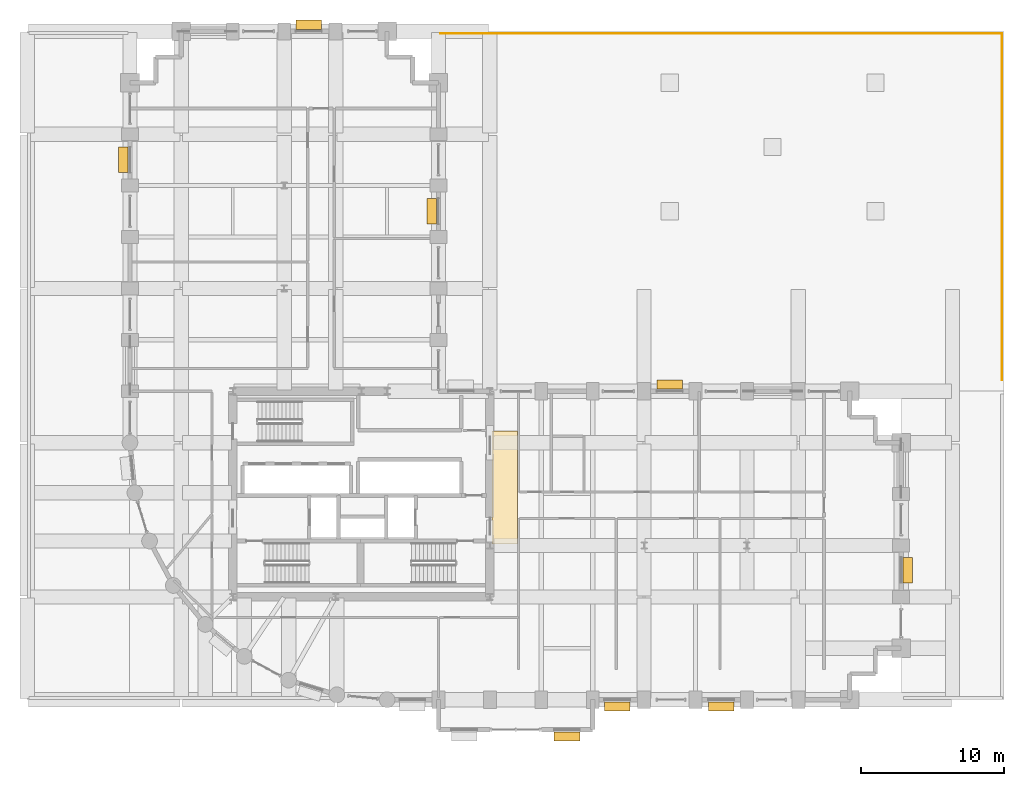
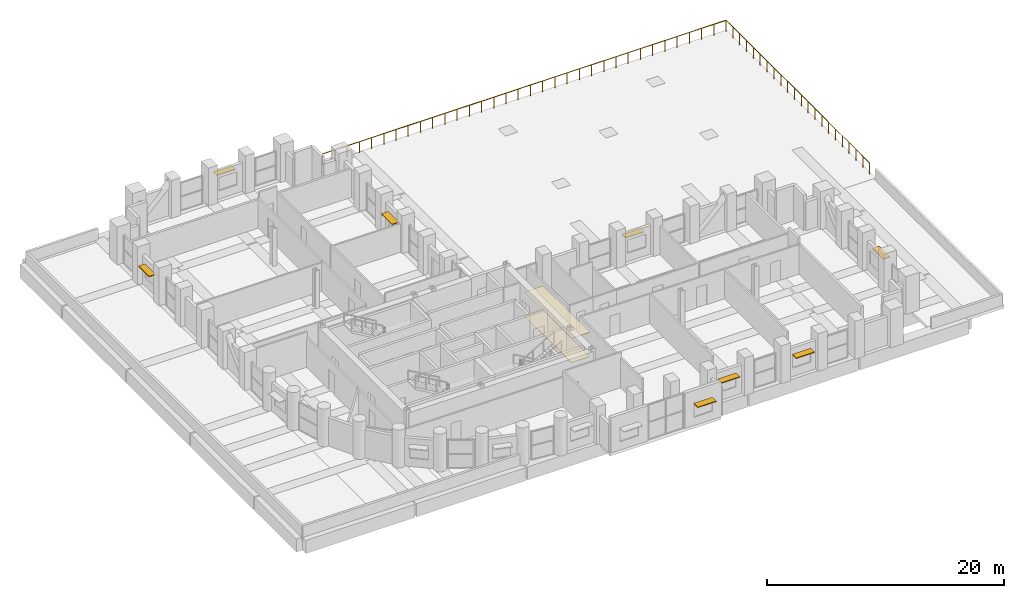
# One storey, part 39 of 39: 8 shading devices, 2 coverings, 2 railings.
"""IFC4 building model written with IfcOpenShell, lengths in metres."""

import ifcopenshell
import ifcopenshell.guid

model = None  # the IFC model being written
_history = None  # IfcOwnerHistory: only IFC2X3 demands one
_inside = {}  # id of a spatial element -> (the spatial element, [elements in it])
_under = {}  # id of a project, library or spatial element -> (it, [spatial elements below it])
_declared = {}  # id of a project -> (the project, [libraries it declares])
_typed = {}  # id of a type object -> (the type object, [elements of that type])
_made_of = {}  # id of a material, layer set ... -> (it, [elements and type objects made of it])


def new_model(schema):
    """Start an empty IFC model of exactly this schema.

    Asked for "IFC4X3", IfcOpenShell would pick the latest addendum, in which some entities
    have other attributes; the version numbers below select the first issue.
    IFC2X3 requires an IfcOwnerHistory on every rooted entity: one is made here for all.
    """
    global model, _history
    if schema == "IFC4X3":
        model = ifcopenshell.file(schema_version=(4, 3, 0, 0))
    else:
        model = ifcopenshell.file(schema=schema)
    _inside.clear()
    _under.clear()
    _declared.clear()
    _typed.clear()
    _made_of.clear()
    _history = None
    if model.schema == "IFC2X3":
        org = make("IfcOrganization", Name="unknown")
        user = make(
            "IfcPersonAndOrganization",
            ThePerson=make("IfcPerson", FamilyName="unknown"),
            TheOrganization=org,
        )
        app = make(
            "IfcApplication",
            ApplicationDeveloper=org,
            Version="unknown",
            ApplicationFullName="unknown",
            ApplicationIdentifier="unknown",
        )
        _history = make(
            "IfcOwnerHistory",
            OwningUser=user,
            OwningApplication=app,
            ChangeAction="ADDED",
            CreationDate=0,
        )
    return model


def make(cls, **values):
    """One entity of the class cls with the attributes given. An attribute that is None is left unset."""
    return model.create_entity(
        cls, **{name: value for name, value in values.items() if value is not None}
    )


def rooted(cls, **values):
    """An entity with a GlobalId (a new one), such as an element, a storey or a relation."""
    return make(cls, GlobalId=ifcopenshell.guid.new(), OwnerHistory=_history, **values)


def si_unit(unit_type, name, prefix=None):
    """IfcSIUnit, for example si_unit("LENGTHUNIT", "METRE", prefix="MILLI")."""
    return make("IfcSIUnit", UnitType=unit_type, Prefix=prefix, Name=name)


def assignment(units):
    """IfcUnitAssignment: the units of a project."""
    return None if units is None else make("IfcUnitAssignment", Units=units)


def point(xyz):
    """IfcCartesianPoint."""
    return None if xyz is None else make("IfcCartesianPoint", Coordinates=xyz)


def direction(xyz):
    """IfcDirection."""
    return None if xyz is None else make("IfcDirection", DirectionRatios=xyz)


def frame(location, z_axis=None, x_axis=None):
    """IfcAxis2Placement3D, a coordinate frame: its origin and axes. An axis left out is left unset."""
    return make(
        "IfcAxis2Placement3D",
        Location=point(location),
        Axis=direction(z_axis),
        RefDirection=direction(x_axis),
    )


def frame_2d(location, x_axis=None):
    """IfcAxis2Placement2D, a coordinate frame in the plane: its origin and x axis."""
    return make(
        "IfcAxis2Placement2D", Location=point(location), RefDirection=direction(x_axis)
    )


def origin():
    """The frame at (0, 0, 0) with its axes left unset."""
    return frame((0.0, 0.0, 0.0))


def origin_2d():
    """The frame at (0, 0) in the plane with its x axis left unset."""
    return frame_2d((0.0, 0.0))


def place(relative_to, where):
    """IfcLocalPlacement: puts the frame where relative to a parent placement (None: the world)."""
    return make(
        "IfcLocalPlacement", PlacementRelTo=relative_to, RelativePlacement=where
    )


def context(
    kind, dimensions, precision=None, world=None, true_north=None, identifier=None
):
    """IfcGeometricRepresentationContext, for example the 3D "Model" context."""
    return make(
        "IfcGeometricRepresentationContext",
        ContextIdentifier=identifier,
        ContextType=kind,
        CoordinateSpaceDimension=dimensions,
        Precision=precision,
        WorldCoordinateSystem=world,
        TrueNorth=true_north,
    )


def subcontext(parent, identifier, kind, view, scale=None):
    """IfcGeometricRepresentationSubContext, for example "Body" below "Model"."""
    return make(
        "IfcGeometricRepresentationSubContext",
        ContextIdentifier=identifier,
        ContextType=kind,
        ParentContext=parent,
        TargetScale=scale,
        TargetView=view,
    )


def project(units=None, contexts=None):
    """IfcProject with its units and contexts."""
    return rooted(
        "IfcProject",
        Name="project",
        RepresentationContexts=contexts,
        UnitsInContext=assignment(units),
    )


def spatial(cls, under=None, at=None, **own):
    """A site, building, storey or space (cls), placed at a placement, below another one or the project."""
    s = rooted(cls, ObjectPlacement=at, **own)
    if under is not None:
        _under.setdefault(under.id(), (under, []))[1].append(s)
    return s


def polyline(points):
    """IfcPolyline through the points."""
    return make("IfcPolyline", Points=[point(p) for p in points])


def profile(cls, at=None, kind="AREA", **sizes):
    """A parametric profile (cls). Its sizes go by their IFC names, for example OverallWidth=200.0."""
    return make(cls, ProfileType=kind, Position=at, **sizes)


def rectangle(**sizes):
    """IfcRectangleProfileDef."""
    return profile("IfcRectangleProfileDef", **sizes)


def circle(**sizes):
    """IfcCircleProfileDef."""
    return profile("IfcCircleProfileDef", **sizes)


def outline(outer, holes=None, kind="AREA"):
    """IfcArbitraryClosedProfileDef: a profile drawn as a closed curve; with holes, ...WithVoids."""
    if holes is None:
        return make("IfcArbitraryClosedProfileDef", ProfileType=kind, OuterCurve=outer)
    return make(
        "IfcArbitraryProfileDefWithVoids",
        ProfileType=kind,
        OuterCurve=outer,
        InnerCurves=holes,
    )


def extrude(swept, where, along, depth):
    """IfcExtrudedAreaSolid: the profile swept, set in the frame where, extruded along a direction by depth."""
    return make(
        "IfcExtrudedAreaSolid",
        SweptArea=swept,
        Position=where,
        ExtrudedDirection=direction(along),
        Depth=depth,
    )


def shape(context_of_items, identifier, shape_type, items):
    """IfcShapeRepresentation: the items that make up one representation, for example the "Body"."""
    return make(
        "IfcShapeRepresentation",
        ContextOfItems=context_of_items,
        RepresentationIdentifier=identifier,
        RepresentationType=shape_type,
        Items=items,
    )


def material(Name=None, Category=None):
    """IfcMaterial."""
    return make("IfcMaterial", Name=Name, Category=Category)


def layer(
    of_material, thickness, ventilated=None, Name=None, Category=None, Priority=None
):
    """IfcMaterialLayer: one layer of a wall or slab, of a material (None: an air gap)."""
    return make(
        "IfcMaterialLayer",
        Material=of_material,
        LayerThickness=thickness,
        IsVentilated=ventilated,
        Name=Name,
        Category=Category,
        Priority=Priority,
    )


def layer_set(layers, Name=None):
    """IfcMaterialLayerSet."""
    return make("IfcMaterialLayerSet", MaterialLayers=layers, LayerSetName=Name)


def made_of(thing, what):
    """Note that an element or type object is made of a material, layer set ...; save() writes the relation."""
    if what is not None:
        _made_of.setdefault(what.id(), (what, []))[1].append(thing)
    return thing


def type_object(cls, material=None, **own):
    """A type object (cls), such as IfcWallType, which elements share."""
    return made_of(rooted(cls, **own), material)


def element(
    cls,
    number,
    at=None,
    inside=None,
    cuts=None,
    type_object=None,
    material=None,
    context=None,
    identifier="Body",
    shape_type=None,
    held_by="IfcProductDefinitionShape",
    body=None,
    shapes=None,
    **own,
):
    """One element of the class cls, such as IfcWall. Its Tag is "e" and its number.

    at: its placement. inside: the storey or other place that contains it. cuts: it is an
    opening in that element (IfcRelVoidsElement). A single representation is given by context,
    identifier, shape_type and body (its items); several are given by shapes. held_by: the class
    of the entity that holds the representations. save() writes the other relations.
    """
    e = rooted(cls, Tag="e%d" % number, ObjectPlacement=at, **own)
    if body is not None:
        shapes = [shape(context, identifier, shape_type, body)]
    if shapes is not None:
        e.Representation = make(held_by, Representations=shapes)
    if inside is not None:
        _inside.setdefault(inside.id(), (inside, []))[1].append(e)
    if cuts is not None:
        rooted(
            "IfcRelVoidsElement", RelatingBuildingElement=cuts, RelatedOpeningElement=e
        )
    if type_object is not None:
        _typed.setdefault(type_object.id(), (type_object, []))[1].append(e)
    return made_of(e, material)


def aggregate(whole, parts):
    """IfcRelAggregates: a whole, such as a stair, and the parts it consists of."""
    return rooted("IfcRelAggregates", RelatingObject=whole, RelatedObjects=parts)


def save(model, path):
    """Write the relations noted so far, then the file.

    IfcRelAggregates (storeys below a building ...), IfcRelContainedInSpatialStructure (elements
    in a storey), IfcRelDefinesByType, IfcRelAssociatesMaterial and IfcRelDeclares: one each for
    every whole, place, type object, material and project.
    """
    for whole, parts in _under.values():
        aggregate(whole, parts)
    for where, things in _inside.values():
        rooted(
            "IfcRelContainedInSpatialStructure",
            RelatedElements=things,
            RelatingStructure=where,
        )
    for kind, things in _typed.values():
        rooted("IfcRelDefinesByType", RelatedObjects=things, RelatingType=kind)
    for what, things in _made_of.values():
        rooted("IfcRelAssociatesMaterial", RelatedObjects=things, RelatingMaterial=what)
    for by, libraries in _declared.values():
        rooted("IfcRelDeclares", RelatingContext=by, RelatedDefinitions=libraries)
    model.write(path)


model = new_model("IFC4")

# Units and contexts
model_context = context("Model", 3, precision=1e-05, world=origin(), true_north=direction((0.0, 1.0)))
body_context = subcontext(model_context, "Body", "Model", "MODEL_VIEW")
ifc_project = project(units=[si_unit("LENGTHUNIT", "METRE"), si_unit("AREAUNIT", "SQUARE_METRE"), si_unit("VOLUMEUNIT", "CUBIC_METRE"), si_unit("PLANEANGLEUNIT", "RADIAN"), si_unit("MASSUNIT", "GRAM", prefix="KILO")], contexts=[model_context])

# Site, building, storey
site_placement = place(None, origin())
site = spatial("IfcSite", under=ifc_project, at=site_placement, CompositionType="ELEMENT")
building_placement = place(site_placement, origin())
building = spatial("IfcBuilding", under=site, at=building_placement, Name="Solnavia Interchange Tower", CompositionType="ELEMENT")
storey_placement = place(building_placement, frame((0.0, 0.0, 24.0)))
storey = spatial("IfcBuildingStorey", under=building, at=storey_placement, Name="L05", CompositionType="ELEMENT", Elevation=24.0)

# Coverings
ifc_material_1 = material(Name="Perforated Mineral-Fibre & Gypsum Ceiling", Category="gypsum")
ifc_layer_1 = layer(ifc_material_1, 0.0400390625)
ifc_layer_set_1 = layer_set([ifc_layer_1], Name="Perforated Mineral-Fibre & Gypsum Ceiling")
covering_type_1 = type_object("IfcCoveringType", Name="Covering-Ceiling-Acoustic40", PredefinedType="CEILING", material=ifc_layer_set_1)
covering_1_placement = place(storey_placement, frame((0.0, 0.0, 2.5)))
element("IfcCovering", 1, at=covering_1_placement, inside=storey, type_object=covering_type_1, Name="CLG-L05-01 Circulation suspended acoustic ceiling", PredefinedType="CEILING", context=body_context, shape_type="SweptSolid", body=[
    extrude(outline(polyline([(32.550048828125, 14.5), (34.35009765625, 14.5), (34.35009765625, 22.39990234375), (32.550048828125, 22.39990234375), (32.550048828125, 14.5)])), origin(), (0.0, 0.0, 1.0), 0.0400390625),
])
ifc_material_2 = material(Name="Polished Alicante Stone Terrazzo", Category="masonry")
ifc_layer_2 = layer(ifc_material_2, 0.02490234375)
ifc_layer_set_2 = layer_set([ifc_layer_2], Name="Polished Alicante Stone Terrazzo")
covering_type_2 = type_object("IfcCoveringType", Name="Covering-Flooring-Terrazzo25", PredefinedType="FLOORING", material=ifc_layer_set_2)
covering_2_placement = place(storey_placement, origin())
element("IfcCovering", 2, at=covering_2_placement, inside=storey, type_object=covering_type_2, Name="FLR-L05-01 Circulation floor finish", PredefinedType="FLOORING", context=body_context, shape_type="SweptSolid", body=[
    extrude(outline(polyline([(32.550048828125, 14.5), (34.35009765625, 14.5), (34.35009765625, 22.39990234375), (32.550048828125, 22.39990234375), (32.550048828125, 14.5)])), origin(), (0.0, 0.0, 1.0), 0.02490234375),
])

# Railings
ifc_material_3 = material(Name="Laminated Safety Glass & Stainless Steel", Category="steel")
railing_type = type_object("IfcRailingType", Name="Railing-TerraceGuard-1150", PredefinedType="GUARDRAIL", material=ifc_material_3)
railing_1_placement = place(storey_placement, frame((28.949951171875, 50.25, 0.0)))
element("IfcRailing", 3, at=railing_1_placement, inside=storey, type_object=railing_type, Name="GRD-L05-POD-01 Perimeter terrace guardrail", PredefinedType="GUARDRAIL", context=body_context, shape_type="SweptSolid", body=[
    extrude(circle(Radius=0.02392578125, at=origin_2d()), frame((0.0, 0.0, 1.1259765625), z_axis=(1.0, 0.0, 0.0), x_axis=(0.0, 1.0, 0.0)), (0.0, 0.0, 1.0), 39.300048828125),
    extrude(circle(Radius=0.02099609375, at=origin_2d()), origin(), (0.0, 0.0, 1.0), 1.101806640625),
    extrude(circle(Radius=0.02099609375, at=origin_2d()), frame((1.19091796875, 0.0, 0.0)), (0.0, 0.0, 1.0), 1.101806640625),
    extrude(circle(Radius=0.02099609375, at=origin_2d()), frame((2.3818359375, 0.0, 0.0)), (0.0, 0.0, 1.0), 1.101806640625),
    extrude(circle(Radius=0.02099609375, at=origin_2d()), frame((3.57275390625, 0.0, 0.0)), (0.0, 0.0, 1.0), 1.101806640625),
    extrude(circle(Radius=0.02099609375, at=origin_2d()), frame((4.763671875, 0.0, 0.0)), (0.0, 0.0, 1.0), 1.101806640625),
    extrude(circle(Radius=0.02099609375, at=origin_2d()), frame((5.95458984375, 0.0, 0.0)), (0.0, 0.0, 1.0), 1.101806640625),
    extrude(circle(Radius=0.02099609375, at=origin_2d()), frame((7.1455078125, 0.0, 0.0)), (0.0, 0.0, 1.0), 1.101806640625),
    extrude(circle(Radius=0.02099609375, at=origin_2d()), frame((8.33642578125, 0.0, 0.0)), (0.0, 0.0, 1.0), 1.101806640625),
    extrude(circle(Radius=0.02099609375, at=origin_2d()), frame((9.52734375, 0.0, 0.0)), (0.0, 0.0, 1.0), 1.101806640625),
    extrude(circle(Radius=0.02099609375, at=origin_2d()), frame((10.71826171875, 0.0, 0.0)), (0.0, 0.0, 1.0), 1.101806640625),
    extrude(circle(Radius=0.02099609375, at=origin_2d()), frame((11.9091796875, 0.0, 0.0)), (0.0, 0.0, 1.0), 1.101806640625),
    extrude(circle(Radius=0.02099609375, at=origin_2d()), frame((13.10009765625, 0.0, 0.0)), (0.0, 0.0, 1.0), 1.101806640625),
    extrude(circle(Radius=0.02099609375, at=origin_2d()), frame((14.291015625, 0.0, 0.0)), (0.0, 0.0, 1.0), 1.101806640625),
    extrude(circle(Radius=0.02099609375, at=origin_2d()), frame((15.48193359375, 0.0, 0.0)), (0.0, 0.0, 1.0), 1.101806640625),
    extrude(circle(Radius=0.02099609375, at=origin_2d()), frame((16.6728515625, 0.0, 0.0)), (0.0, 0.0, 1.0), 1.101806640625),
    extrude(circle(Radius=0.02099609375, at=origin_2d()), frame((17.86376953125, 0.0, 0.0)), (0.0, 0.0, 1.0), 1.101806640625),
    extrude(circle(Radius=0.02099609375, at=origin_2d()), frame((19.0546875, 0.0, 0.0)), (0.0, 0.0, 1.0), 1.101806640625),
    extrude(circle(Radius=0.02099609375, at=origin_2d()), frame((20.245361328125, 0.0, 0.0)), (0.0, 0.0, 1.0), 1.101806640625),
    extrude(circle(Radius=0.02099609375, at=origin_2d()), frame((21.436279296875, 0.0, 0.0)), (0.0, 0.0, 1.0), 1.101806640625),
    extrude(circle(Radius=0.02099609375, at=origin_2d()), frame((22.627197265625, 0.0, 0.0)), (0.0, 0.0, 1.0), 1.101806640625),
    extrude(circle(Radius=0.02099609375, at=origin_2d()), frame((23.818115234375, 0.0, 0.0)), (0.0, 0.0, 1.0), 1.101806640625),
    extrude(circle(Radius=0.02099609375, at=origin_2d()), frame((25.009033203125, 0.0, 0.0)), (0.0, 0.0, 1.0), 1.101806640625),
    extrude(circle(Radius=0.02099609375, at=origin_2d()), frame((26.199951171875, 0.0, 0.0)), (0.0, 0.0, 1.0), 1.101806640625),
    extrude(circle(Radius=0.02099609375, at=origin_2d()), frame((27.390869140625, 0.0, 0.0)), (0.0, 0.0, 1.0), 1.101806640625),
    extrude(circle(Radius=0.02099609375, at=origin_2d()), frame((28.581787109375, 0.0, 0.0)), (0.0, 0.0, 1.0), 1.101806640625),
    extrude(circle(Radius=0.02099609375, at=origin_2d()), frame((29.772705078125, 0.0, 0.0)), (0.0, 0.0, 1.0), 1.101806640625),
    extrude(circle(Radius=0.02099609375, at=origin_2d()), frame((30.963623046875, 0.0, 0.0)), (0.0, 0.0, 1.0), 1.101806640625),
    extrude(circle(Radius=0.02099609375, at=origin_2d()), frame((32.154541015625, 0.0, 0.0)), (0.0, 0.0, 1.0), 1.101806640625),
    extrude(circle(Radius=0.02099609375, at=origin_2d()), frame((33.345458984375, 0.0, 0.0)), (0.0, 0.0, 1.0), 1.101806640625),
    extrude(circle(Radius=0.02099609375, at=origin_2d()), frame((34.536376953125, 0.0, 0.0)), (0.0, 0.0, 1.0), 1.101806640625),
    extrude(circle(Radius=0.02099609375, at=origin_2d()), frame((35.727294921875, 0.0, 0.0)), (0.0, 0.0, 1.0), 1.101806640625),
    extrude(circle(Radius=0.02099609375, at=origin_2d()), frame((36.918212890625, 0.0, 0.0)), (0.0, 0.0, 1.0), 1.101806640625),
    extrude(circle(Radius=0.02099609375, at=origin_2d()), frame((38.109130859375, 0.0, 0.0)), (0.0, 0.0, 1.0), 1.101806640625),
    extrude(circle(Radius=0.02099609375, at=origin_2d()), frame((39.300048828125, 0.0, 0.0)), (0.0, 0.0, 1.0), 1.101806640625),
])
railing_2_placement = place(storey_placement, frame((68.25, 50.25, 0.0)))
element("IfcRailing", 4, at=railing_2_placement, inside=storey, type_object=railing_type, Name="GRD-L05-POD-02 Perimeter terrace guardrail", PredefinedType="GUARDRAIL", context=body_context, shape_type="SweptSolid", body=[
    extrude(circle(Radius=0.02392578125, at=origin_2d()), frame((0.0, 0.0, 1.1259765625), z_axis=(0.0, -1.0, 0.0), x_axis=(1.0, 0.0, 0.0)), (0.0, 0.0, 1.0), 24.25),
    extrude(circle(Radius=0.02099609375, at=origin_2d()), origin(), (0.0, 0.0, 1.0), 1.101806640625),
    extrude(circle(Radius=0.02099609375, at=origin_2d()), frame((0.0, -1.15478515625, 0.0)), (0.0, 0.0, 1.0), 1.101806640625),
    extrude(circle(Radius=0.02099609375, at=origin_2d()), frame((0.0, -2.3095703125, 0.0)), (0.0, 0.0, 1.0), 1.101806640625),
    extrude(circle(Radius=0.02099609375, at=origin_2d()), frame((0.0, -3.46435546875, 0.0)), (0.0, 0.0, 1.0), 1.101806640625),
    extrude(circle(Radius=0.02099609375, at=origin_2d()), frame((0.0, -4.619140625, 0.0)), (0.0, 0.0, 1.0), 1.101806640625),
    extrude(circle(Radius=0.02099609375, at=origin_2d()), frame((0.0, -5.77392578125, 0.0)), (0.0, 0.0, 1.0), 1.101806640625),
    extrude(circle(Radius=0.02099609375, at=origin_2d()), frame((0.0, -6.928466796875, 0.0)), (0.0, 0.0, 1.0), 1.101806640625),
    extrude(circle(Radius=0.02099609375, at=origin_2d()), frame((0.0, -8.083251953125, 0.0)), (0.0, 0.0, 1.0), 1.101806640625),
    extrude(circle(Radius=0.02099609375, at=origin_2d()), frame((0.0, -9.238037109375, 0.0)), (0.0, 0.0, 1.0), 1.101806640625),
    extrude(circle(Radius=0.02099609375, at=origin_2d()), frame((0.0, -10.392822265625, 0.0)), (0.0, 0.0, 1.0), 1.101806640625),
    extrude(circle(Radius=0.02099609375, at=origin_2d()), frame((0.0, -11.547607421875, 0.0)), (0.0, 0.0, 1.0), 1.101806640625),
    extrude(circle(Radius=0.02099609375, at=origin_2d()), frame((0.0, -12.702392578125, 0.0)), (0.0, 0.0, 1.0), 1.101806640625),
    extrude(circle(Radius=0.02099609375, at=origin_2d()), frame((0.0, -13.857177734375, 0.0)), (0.0, 0.0, 1.0), 1.101806640625),
    extrude(circle(Radius=0.02099609375, at=origin_2d()), frame((0.0, -15.011962890625, 0.0)), (0.0, 0.0, 1.0), 1.101806640625),
    extrude(circle(Radius=0.02099609375, at=origin_2d()), frame((0.0, -16.166748046875, 0.0)), (0.0, 0.0, 1.0), 1.101806640625),
    extrude(circle(Radius=0.02099609375, at=origin_2d()), frame((0.0, -17.321533203125, 0.0)), (0.0, 0.0, 1.0), 1.101806640625),
    extrude(circle(Radius=0.02099609375, at=origin_2d()), frame((0.0, -18.47607421875, 0.0)), (0.0, 0.0, 1.0), 1.101806640625),
    extrude(circle(Radius=0.02099609375, at=origin_2d()), frame((0.0, -19.630859375, 0.0)), (0.0, 0.0, 1.0), 1.101806640625),
    extrude(circle(Radius=0.02099609375, at=origin_2d()), frame((0.0, -20.78564453125, 0.0)), (0.0, 0.0, 1.0), 1.101806640625),
    extrude(circle(Radius=0.02099609375, at=origin_2d()), frame((0.0, -21.9404296875, 0.0)), (0.0, 0.0, 1.0), 1.101806640625),
    extrude(circle(Radius=0.02099609375, at=origin_2d()), frame((0.0, -23.09521484375, 0.0)), (0.0, 0.0, 1.0), 1.101806640625),
    extrude(circle(Radius=0.02099609375, at=origin_2d()), frame((0.0, -24.25, 0.0)), (0.0, 0.0, 1.0), 1.101806640625),
])

# Shading devices
ifc_material_4 = material(Name="Anodised Aluminium Sunshade", Category="aluminium")
ifc_layer_3 = layer(ifc_material_4, 0.080078125)
ifc_layer_set_3 = layer_set([ifc_layer_3], Name="Anodised Aluminium Sunshade")
shading_device_type = type_object("IfcShadingDeviceType", Name="Sunshade-Band-650", PredefinedType="SHUTTER", material=ifc_layer_set_3)
for number, where, z_axis, x_axis, name in (
    (5, (37.800048828125, 1.030029296875, 2.219970703125), (0.0, 0.0, 1.0), (-1.0, 0.0, 0.0), "SHD-L05-05 Horizontal sunshade band"),
    (6, (41.324951171875, 3.1298828125, 2.219970703125), (0.0, 0.0, 1.0), (-1.0, 0.0, 0.0), "SHD-L05-07 Horizontal sunshade band"),
    (7, (48.60009765625, 3.1298828125, 2.219970703125), (0.0, 0.0, 1.0), (-1.0, 0.0, 0.0), "SHD-L05-09 Horizontal sunshade band"),
    (8, (61.669921875, 12.675048828125, 2.219970703125), (0.0, 0.0, 1.0), (0.0, -1.0, 0.0), "SHD-L05-17 Horizontal sunshade band"),
    (9, (45.0, 25.669921875, 2.219970703125), (0.0, 0.0, 1.0), (1.0, 0.0, 0.0), "SHD-L05-27 Horizontal sunshade band"),
    (10, (28.330078125, 37.800048828125, 2.219970703125), (0.0, 0.0, 1.0), (0.0, 1.0, 0.0), "SHD-L05-35 Horizontal sunshade band"),
    (11, (19.72509765625, 50.8701171875, 2.219970703125), (0.0, 0.0, 1.0), (1.0, 0.0, 0.0), "SHD-L05-43 Horizontal sunshade band"),
    (12, (6.72998046875, 41.39990234375, 2.219970703125), (0.0, 0.0, 1.0), (0.0, 1.0, 0.0), "SHD-L05-51 Horizontal sunshade band"),
):
    element("IfcShadingDevice", number, at=place(storey_placement, frame(where, z_axis=z_axis, x_axis=x_axis)), inside=storey, type_object=shading_device_type, Name=name, PredefinedType="SHUTTER", context=body_context, shape_type="SweptSolid", body=[
        extrude(rectangle(XDim=1.800048828125, YDim=0.64990234375, at=origin_2d()), origin(), (0.0, 0.0, 1.0), 0.080078125),
    ])

save(model, "model.ifc")
